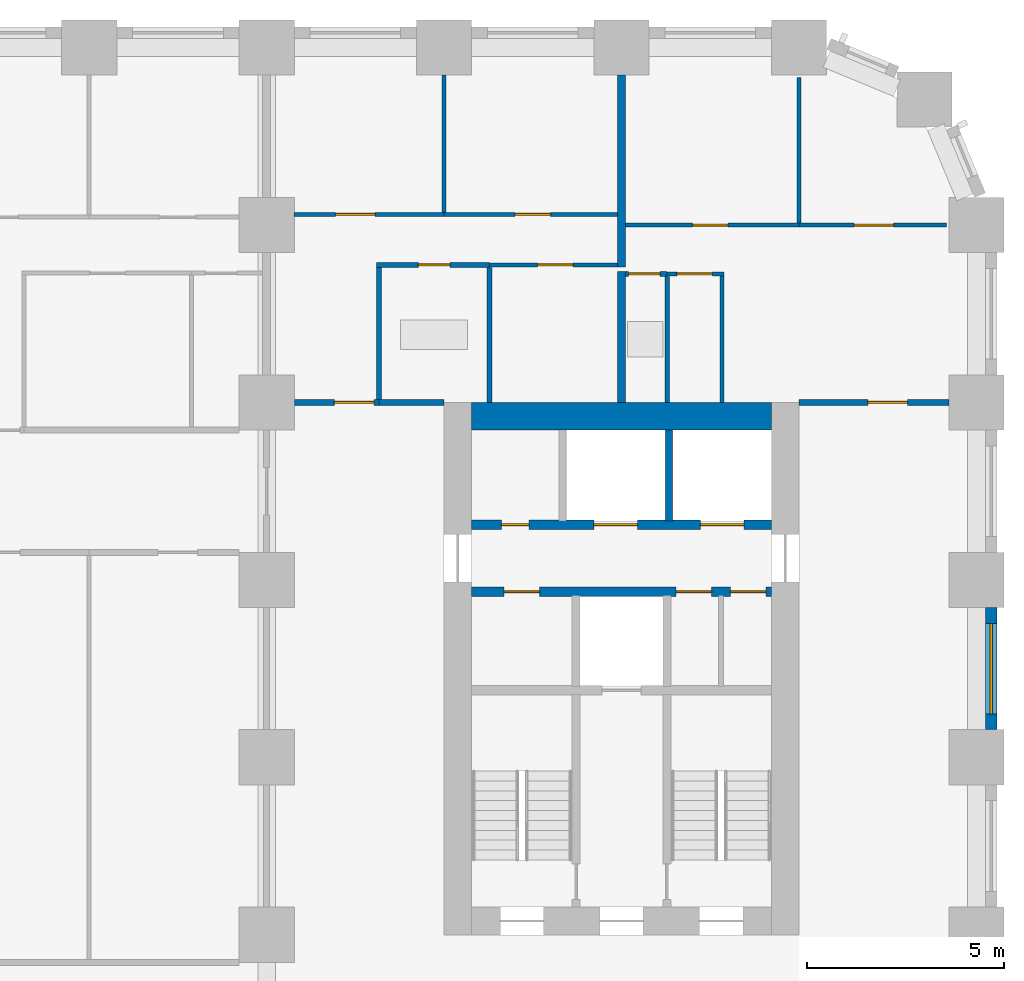
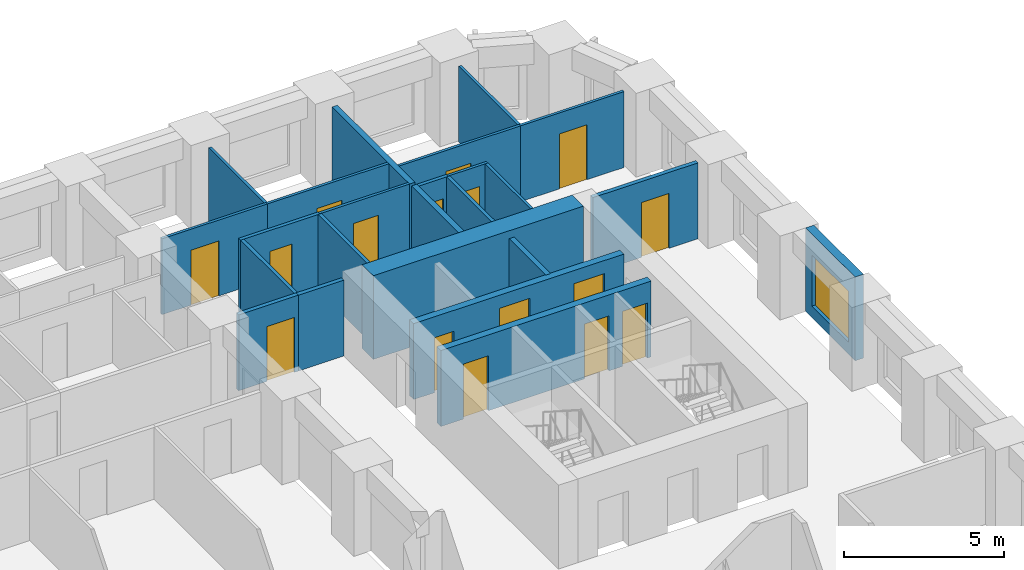
# One storey, part 9 of 13: 24 walls, 16 doors, 1 window, 17 openings.
"""IFC4 building model written with IfcOpenShell, lengths in metres."""

from ifc_helpers import new_model, si_unit, direction, frame, frame_2d, origin, place, context, subcontext, project, spatial, rectangle, extrude, material, layer, layer_set, type_object, element, fill, save


model = new_model("IFC4")

# Units and contexts
model_context = context("Model", 3, precision=1e-05, world=origin(), true_north=direction((0.0, 1.0)))
body_context = subcontext(model_context, "Body", "Model", "MODEL_VIEW")
ifc_project = project(units=[si_unit("LENGTHUNIT", "METRE"), si_unit("AREAUNIT", "SQUARE_METRE"), si_unit("VOLUMEUNIT", "CUBIC_METRE"), si_unit("PLANEANGLEUNIT", "RADIAN"), si_unit("MASSUNIT", "GRAM", prefix="KILO")], contexts=[model_context])

# Site, building, storey
site_placement = place(None, origin())
site = spatial("IfcSite", under=ifc_project, at=site_placement, CompositionType="ELEMENT")
building_placement = place(site_placement, origin())
building = spatial("IfcBuilding", under=site, at=building_placement, Name="Girih Gate Residences", CompositionType="ELEMENT")
storey_placement = place(building_placement, frame((0.0, 0.0, 56.0)))
storey = spatial("IfcBuildingStorey", under=building, at=storey_placement, Name="L14", CompositionType="ELEMENT", Elevation=56.0)

# Wall, opening, door
ifc_material_1 = material(Name="Gypsum board on steel studs", Category="steel")
ifc_layer_1 = layer(ifc_material_1, 0.14990234375)
ifc_layer_set_1 = layer_set([ifc_layer_1], Name="Compartment wall 150 mm")
wall_type_1 = type_object("IfcWallType", Name="Compartment wall 150 mm", PredefinedType="PARTITIONING", material=ifc_layer_set_1)
wall_1_placement = place(storey_placement, frame((45.0, 40.5, 0.0), z_axis=(0.0, 0.0, 1.0), x_axis=(1.0, 0.0, 0.0)))
wall_1 = element("IfcWall", 1, at=wall_1_placement, inside=storey, type_object=wall_type_1, Name="L14 partition", PredefinedType="PARTITIONING", context=body_context, shape_type="SweptSolid", body=[
    extrude(rectangle(XDim=3.800048828125, YDim=0.14990234375, at=frame_2d((1.89990234375, 0.0))), origin(), (0.0, 0.0, 1.0), 2.89990234375),
])
opening_1_placement = place(wall_1_placement, frame((1.75, 0.0, 0.0)))
opening_1 = element("IfcOpeningElement", 2, at=opening_1_placement, cuts=wall_1, Name="Opening A14-033", PredefinedType="OPENING", context=body_context, shape_type="SweptSolid", body=[
    extrude(rectangle(XDim=1.0, YDim=2.10009765625, at=frame_2d((0.5, 1.050048828125))), frame((0.0, 0.0849609375, 0.0), z_axis=(0.0, -1.0, 0.0), x_axis=(1.0, 0.0, 0.0)), (0.0, 0.0, 1.0), 0.169921875),
])
ifc_material_2 = material(Name="Timber, fire-rated core", Category="wood")
door_type_1 = type_object("IfcDoorType", Name="Flat entrance door 1000x2100 FD30S", OperationType="NOTDEFINED", PredefinedType="DOOR", material=ifc_material_2)
door_1_placement = place(opening_1_placement, origin())
door_1 = element("IfcDoor", 3, at=door_1_placement, inside=storey, type_object=door_type_1, Name="Door A14-033", OperationType="SINGLE_SWING_RIGHT", OverallHeight=2.10009765625, OverallWidth=1.0, PredefinedType="DOOR", context=body_context, shape_type="SweptSolid", body=[
    extrude(rectangle(XDim=1.0, YDim=2.10009765625, at=frame_2d((0.5, 1.050048828125))), frame((0.0, 0.02490234375, 0.0), z_axis=(0.0, -1.0, 0.0), x_axis=(1.0, 0.0, 0.0)), (0.0, 0.0, 1.0), 0.050048828125),
])
fill(opening_1, door_1)

# Wall
wall_2_placement = place(storey_placement, frame((34.35009765625, 40.5, 0.0), z_axis=(0.0, 0.0, 1.0), x_axis=(1.0, 0.0, 0.0)))
element("IfcWall", 4, at=wall_2_placement, inside=storey, type_object=wall_type_1, Name="L14 partition", PredefinedType="PARTITIONING", context=body_context, shape_type="SweptSolid", body=[
    extrude(rectangle(XDim=1.64990234375, YDim=0.14990234375, at=frame_2d((0.824951171875, 0.0))), origin(), (0.0, 0.0, 1.0), 2.89990234375),
])

# Wall, opening, door
wall_3_placement = place(storey_placement, frame((32.199951171875, 40.5, 0.0), z_axis=(0.0, 0.0, 1.0), x_axis=(1.0, 0.0, 0.0)))
wall_3 = element("IfcWall", 5, at=wall_3_placement, inside=storey, type_object=wall_type_1, Name="L14 partition", PredefinedType="PARTITIONING", context=body_context, shape_type="SweptSolid", body=[
    extrude(rectangle(XDim=2.150146484375, YDim=0.14990234375, at=frame_2d((1.0751953125, 0.0))), origin(), (0.0, 0.0, 1.0), 2.89990234375),
])
opening_2_placement = place(wall_3_placement, frame((1.02001953125, 0.0, 0.0)))
opening_2 = element("IfcOpeningElement", 6, at=opening_2_placement, cuts=wall_3, Name="Opening A14-038", PredefinedType="OPENING", context=body_context, shape_type="SweptSolid", body=[
    extrude(rectangle(XDim=1.0, YDim=2.10009765625, at=frame_2d((0.5, 1.050048828125))), frame((0.0, 0.0849609375, 0.0), z_axis=(0.0, -1.0, 0.0), x_axis=(1.0, 0.0, 0.0)), (0.0, 0.0, 1.0), 0.169921875),
])
door_2_placement = place(opening_2_placement, origin())
door_2 = element("IfcDoor", 7, at=door_2_placement, inside=storey, type_object=door_type_1, Name="Door A14-038", OperationType="SINGLE_SWING_RIGHT", OverallHeight=2.10009765625, OverallWidth=1.0, PredefinedType="DOOR", context=body_context, shape_type="SweptSolid", body=[
    extrude(rectangle(XDim=1.0, YDim=2.10009765625, at=frame_2d((0.5, 1.050048828125))), frame((0.0, 0.02490234375, 0.0), z_axis=(0.0, -1.0, 0.0), x_axis=(1.0, 0.0, 0.0)), (0.0, 0.0, 1.0), 0.050048828125),
])
fill(opening_2, door_2)

# Wall
ifc_material_3 = material(Name="Concrete C60/75", Category="concrete")
ifc_layer_2 = layer(ifc_material_3, 0.699951171875)
ifc_layer_set_2 = layer_set([ifc_layer_2], Name="Core wall RC 700 Concrete C60/75")
wall_type_2 = type_object("IfcWallType", Name="Core wall RC 700 Concrete C60/75", PredefinedType="SOLIDWALL", material=ifc_layer_set_2)
wall_4_placement = place(storey_placement, frame((36.699951171875, 40.14990234375, 0.0), z_axis=(0.0, 0.0, 1.0), x_axis=(1.0, 0.0, 0.0)))
element("IfcWall", 8, at=wall_4_placement, inside=storey, type_object=wall_type_2, Name="Core wall E-N L14", PredefinedType="SOLIDWALL", context=body_context, shape_type="SweptSolid", body=[
    extrude(rectangle(XDim=7.60009765625, YDim=0.699951171875, at=frame_2d((3.800048828125, 0.0))), origin(), (0.0, 0.0, 1.0), 3.199951171875),
])

# Wall, openings, doors
ifc_material_4 = material(Name="Concrete C40/50", Category="concrete")
ifc_layer_3 = layer(ifc_material_4, 0.25)
ifc_layer_set_3 = layer_set([ifc_layer_3], Name="Lift shaft wall 250")
wall_type_3 = type_object("IfcWallType", Name="Lift shaft wall 250", PredefinedType="SOLIDWALL", material=ifc_layer_set_3)
wall_5_placement = place(storey_placement, frame((36.699951171875, 35.699951171875, 0.0), z_axis=(0.0, 0.0, 1.0), x_axis=(1.0, 0.0, 0.0)))
wall_5 = element("IfcWall", 9, at=wall_5_placement, inside=storey, type_object=wall_type_3, Name="L14 E core wall H2", PredefinedType="SOLIDWALL", context=body_context, shape_type="SweptSolid", body=[
    extrude(rectangle(XDim=7.60009765625, YDim=0.25, at=frame_2d((3.800048828125, 0.0))), origin(), (0.0, 0.0, 1.0), 2.89990234375),
])
opening_3_placement = place(wall_5_placement, frame((6.5625, 0.0, 0.0)))
opening_3 = element("IfcOpeningElement", 10, at=opening_3_placement, cuts=wall_5, Name="Opening D-L14-E-007", PredefinedType="OPENING", context=body_context, shape_type="SweptSolid", body=[
    extrude(rectangle(XDim=0.89990234375, YDim=2.10009765625, at=frame_2d((0.449951171875, 1.050048828125))), frame((0.0, 0.135009765625, 0.0), z_axis=(0.0, -1.0, 0.0), x_axis=(1.0, 0.0, 0.0)), (0.0, 0.0, 1.0), 0.27001953125),
])
opening_4_placement = place(wall_5_placement, frame((5.1875, 0.0, 0.0)))
opening_4 = element("IfcOpeningElement", 11, at=opening_4_placement, cuts=wall_5, Name="Opening D-L14-E-008", PredefinedType="OPENING", context=body_context, shape_type="SweptSolid", body=[
    extrude(rectangle(XDim=0.89990234375, YDim=2.10009765625, at=frame_2d((0.449951171875, 1.050048828125))), frame((0.0, 0.135009765625, 0.0), z_axis=(0.0, -1.0, 0.0), x_axis=(1.0, 0.0, 0.0)), (0.0, 0.0, 1.0), 0.27001953125),
])
opening_5_placement = place(wall_5_placement, frame((0.824951171875, 0.0, 0.0)))
opening_5 = element("IfcOpeningElement", 12, at=opening_5_placement, cuts=wall_5, Name="Opening D-L14-E-009", PredefinedType="OPENING", context=body_context, shape_type="SweptSolid", body=[
    extrude(rectangle(XDim=0.89990234375, YDim=2.10009765625, at=frame_2d((0.449951171875, 1.050048828125))), frame((0.0, 0.135009765625, 0.0), z_axis=(0.0, -1.0, 0.0), x_axis=(1.0, 0.0, 0.0)), (0.0, 0.0, 1.0), 0.27001953125),
])
ifc_material_5 = material(Name="Painted steel, fire-resisting", Category="steel")
door_type_2 = type_object("IfcDoorType", Name="Fire door 900x2100", OperationType="SINGLE_SWING_LEFT", PredefinedType="DOOR", material=ifc_material_5)
door_3_placement = place(opening_3_placement, origin())
door_3 = element("IfcDoor", 13, at=door_3_placement, inside=storey, type_object=door_type_2, Name="L14 E store door", OperationType="SINGLE_SWING_LEFT", OverallHeight=2.10009765625, OverallWidth=0.89990234375, PredefinedType="DOOR", context=body_context, shape_type="SweptSolid", body=[
    extrude(rectangle(XDim=0.89990234375, YDim=2.10009765625, at=frame_2d((0.449951171875, 1.050048828125))), frame((0.0, 0.02490234375, 0.0), z_axis=(0.0, -1.0, 0.0), x_axis=(1.0, 0.0, 0.0)), (0.0, 0.0, 1.0), 0.050048828125),
])
fill(opening_3, door_3)
door_4_placement = place(opening_4_placement, origin())
door_4 = element("IfcDoor", 14, at=door_4_placement, inside=storey, type_object=door_type_2, Name="L14 E comms room door", OperationType="SINGLE_SWING_LEFT", OverallHeight=2.10009765625, OverallWidth=0.89990234375, PredefinedType="DOOR", context=body_context, shape_type="SweptSolid", body=[
    extrude(rectangle(XDim=0.89990234375, YDim=2.10009765625, at=frame_2d((0.449951171875, 1.050048828125))), frame((0.0, 0.02490234375, 0.0), z_axis=(0.0, -1.0, 0.0), x_axis=(1.0, 0.0, 0.0)), (0.0, 0.0, 1.0), 0.050048828125),
])
fill(opening_4, door_4)
door_5_placement = place(opening_5_placement, origin())
door_5 = element("IfcDoor", 15, at=door_5_placement, inside=storey, type_object=door_type_2, Name="L14 E refuse store door", OperationType="SINGLE_SWING_LEFT", OverallHeight=2.10009765625, OverallWidth=0.89990234375, PredefinedType="DOOR", context=body_context, shape_type="SweptSolid", body=[
    extrude(rectangle(XDim=0.89990234375, YDim=2.10009765625, at=frame_2d((0.449951171875, 1.050048828125))), frame((0.0, 0.02490234375, 0.0), z_axis=(0.0, -1.0, 0.0), x_axis=(1.0, 0.0, 0.0)), (0.0, 0.0, 1.0), 0.050048828125),
])
fill(opening_5, door_5)

wall_6_placement = place(storey_placement, frame((36.699951171875, 37.39990234375, 0.0), z_axis=(0.0, 0.0, 1.0), x_axis=(1.0, 0.0, 0.0)))
wall_6 = element("IfcWall", 16, at=wall_6_placement, inside=storey, type_object=wall_type_3, Name="L14 E core wall H3", PredefinedType="SOLIDWALL", context=body_context, shape_type="SweptSolid", body=[
    extrude(rectangle(XDim=7.60009765625, YDim=0.25, at=frame_2d((3.800048828125, 0.0))), origin(), (0.0, 0.0, 1.0), 2.89990234375),
])
opening_6_placement = place(wall_6_placement, frame((5.800048828125, 0.0, 0.0)))
opening_6 = element("IfcOpeningElement", 17, at=opening_6_placement, cuts=wall_6, Name="Opening D-L14-E-003", PredefinedType="OPENING", context=body_context, shape_type="SweptSolid", body=[
    extrude(rectangle(XDim=1.10009765625, YDim=2.39990234375, at=frame_2d((0.550048828125, 1.199951171875))), frame((0.0, 0.135009765625, 0.0), z_axis=(0.0, -1.0, 0.0), x_axis=(1.0, 0.0, 0.0)), (0.0, 0.0, 1.0), 0.27001953125),
])
opening_7_placement = place(wall_6_placement, frame((3.10009765625, 0.0, 0.0)))
opening_7 = element("IfcOpeningElement", 18, at=opening_7_placement, cuts=wall_6, Name="Opening D-L14-E-004", PredefinedType="OPENING", context=body_context, shape_type="SweptSolid", body=[
    extrude(rectangle(XDim=1.10009765625, YDim=2.39990234375, at=frame_2d((0.550048828125, 1.199951171875))), frame((0.0, 0.135009765625, 0.0), z_axis=(0.0, -1.0, 0.0), x_axis=(1.0, 0.0, 0.0)), (0.0, 0.0, 1.0), 0.27001953125),
])
opening_8_placement = place(wall_6_placement, frame((0.75, 0.0, 0.0)))
opening_8 = element("IfcOpeningElement", 19, at=opening_8_placement, cuts=wall_6, Name="Opening D-L14-E-006", PredefinedType="OPENING", context=body_context, shape_type="SweptSolid", body=[
    extrude(rectangle(XDim=0.699951171875, YDim=2.10009765625, at=frame_2d((0.35009765625, 1.050048828125))), frame((0.0, 0.135009765625, 0.0), z_axis=(0.0, -1.0, 0.0), x_axis=(1.0, 0.0, 0.0)), (0.0, 0.0, 1.0), 0.27001953125),
])
ifc_material_6 = material(Name="Stainless steel", Category="steel")
door_type_3 = type_object("IfcDoorType", Name="Lift landing door 1100x2400", OperationType="SLIDING_TO_LEFT", PredefinedType="DOOR", material=ifc_material_6)
door_6_placement = place(opening_6_placement, origin())
door_6 = element("IfcDoor", 20, at=door_6_placement, inside=storey, type_object=door_type_3, Name="L14 lift LR-E1 landing door", OperationType="SLIDING_TO_LEFT", OverallHeight=2.39990234375, OverallWidth=1.10009765625, PredefinedType="DOOR", context=body_context, shape_type="SweptSolid", body=[
    extrude(rectangle(XDim=1.10009765625, YDim=2.39990234375, at=frame_2d((0.550048828125, 1.199951171875))), frame((0.0, 0.02490234375, 0.0), z_axis=(0.0, -1.0, 0.0), x_axis=(1.0, 0.0, 0.0)), (0.0, 0.0, 1.0), 0.050048828125),
])
fill(opening_6, door_6)
door_7_placement = place(opening_7_placement, origin())
door_7 = element("IfcDoor", 21, at=door_7_placement, inside=storey, type_object=door_type_3, Name="L14 lift LR-E2 landing door", OperationType="SLIDING_TO_LEFT", OverallHeight=2.39990234375, OverallWidth=1.10009765625, PredefinedType="DOOR", context=body_context, shape_type="SweptSolid", body=[
    extrude(rectangle(XDim=1.10009765625, YDim=2.39990234375, at=frame_2d((0.550048828125, 1.199951171875))), frame((0.0, 0.02490234375, 0.0), z_axis=(0.0, -1.0, 0.0), x_axis=(1.0, 0.0, 0.0)), (0.0, 0.0, 1.0), 0.050048828125),
])
fill(opening_7, door_7)
door_type_4 = type_object("IfcDoorType", Name="Riser access door 700x2100", OperationType="SINGLE_SWING_LEFT", PredefinedType="DOOR", material=ifc_material_5)
door_8_placement = place(opening_8_placement, origin())
door_8 = element("IfcDoor", 22, at=door_8_placement, inside=storey, type_object=door_type_4, Name="L14 E riser room door", OperationType="SINGLE_SWING_LEFT", OverallHeight=2.10009765625, OverallWidth=0.699951171875, PredefinedType="DOOR", context=body_context, shape_type="SweptSolid", body=[
    extrude(rectangle(XDim=0.699951171875, YDim=2.10009765625, at=frame_2d((0.35009765625, 1.050048828125))), frame((0.0, 0.02490234375, 0.0), z_axis=(0.0, -1.0, 0.0), x_axis=(1.0, 0.0, 0.0)), (0.0, 0.0, 1.0), 0.050048828125),
])
fill(opening_8, door_8)

# Wall, opening, door
ifc_layer_4 = layer(ifc_material_1, 0.10009765625)
ifc_layer_set_4 = layer_set([ifc_layer_4], Name="Partition 100 mm")
wall_type_4 = type_object("IfcWallType", Name="Partition 100 mm", PredefinedType="PARTITIONING", material=ifc_layer_set_4)
wall_7_placement = place(storey_placement, frame((40.60009765625, 45.0, 0.0), z_axis=(0.0, 0.0, 1.0), x_axis=(1.0, 0.0, 0.0)))
wall_7 = element("IfcWall", 23, at=wall_7_placement, inside=storey, type_object=wall_type_4, Name="L14 partition", PredefinedType="PARTITIONING", context=body_context, shape_type="SweptSolid", body=[
    extrude(rectangle(XDim=4.39990234375, YDim=0.10009765625, at=frame_2d((2.199951171875, 0.0))), origin(), (0.0, 0.0, 1.0), 2.89990234375),
])
opening_9_placement = place(wall_7_placement, frame((1.699951171875, 0.0, 0.0)))
opening_9 = element("IfcOpeningElement", 24, at=opening_9_placement, cuts=wall_7, Name="Opening A14-030", PredefinedType="OPENING", context=body_context, shape_type="SweptSolid", body=[
    extrude(rectangle(XDim=0.89990234375, YDim=2.10009765625, at=frame_2d((0.449951171875, 1.050048828125))), frame((0.0, 0.06005859375, 0.0), z_axis=(0.0, -1.0, 0.0), x_axis=(1.0, 0.0, 0.0)), (0.0, 0.0, 1.0), 0.1201171875),
])
ifc_material_7 = material(Name="Timber", Category="wood")
door_type_5 = type_object("IfcDoorType", Name="Bedroom door 900x2100", OperationType="NOTDEFINED", PredefinedType="DOOR", material=ifc_material_7)
door_9_placement = place(opening_9_placement, origin())
door_9 = element("IfcDoor", 25, at=door_9_placement, inside=storey, type_object=door_type_5, Name="Door A14-030", OperationType="SINGLE_SWING_LEFT", OverallHeight=2.10009765625, OverallWidth=0.89990234375, PredefinedType="DOOR", context=body_context, shape_type="SweptSolid", body=[
    extrude(rectangle(XDim=0.89990234375, YDim=2.10009765625, at=frame_2d((0.449951171875, 1.050048828125))), frame((0.0, 0.02490234375, 0.0), z_axis=(0.0, -1.0, 0.0), x_axis=(1.0, 0.0, 0.0)), (0.0, 0.0, 1.0), 0.050048828125),
])
fill(opening_9, door_9)

# Walls
wall_8_placement = place(storey_placement, frame((45.0, 45.050048828125, 0.0), z_axis=(0.0, 0.0, 1.0), x_axis=(0.0, 1.0, 0.0)))
element("IfcWall", 26, at=wall_8_placement, inside=storey, type_object=wall_type_4, Name="L14 partition", PredefinedType="PARTITIONING", context=body_context, shape_type="SweptSolid", body=[
    extrude(rectangle(XDim=3.6923828125, YDim=0.10009765625, at=frame_2d((1.84619140625, 0.0))), origin(), (0.0, 0.0, 1.0), 2.89990234375),
])
wall_9_placement = place(storey_placement, frame((43.050048828125, 40.5, 0.0), z_axis=(0.0, 0.0, 1.0), x_axis=(0.0, 1.0, 0.0)))
element("IfcWall", 27, at=wall_9_placement, inside=storey, type_object=wall_type_4, Name="L14 partition", PredefinedType="PARTITIONING", context=body_context, shape_type="SweptSolid", body=[
    extrude(rectangle(XDim=3.2099609375, YDim=0.10009765625, at=frame_2d((1.60498046875, 0.0))), origin(), (0.0, 0.0, 1.0), 2.89990234375),
])

# Wall, opening, door
wall_10_placement = place(storey_placement, frame((43.10009765625, 43.760009765625, 0.0), z_axis=(0.0, 0.0, 1.0), x_axis=(-1.0, 0.0, 0.0)))
wall_10 = element("IfcWall", 28, at=wall_10_placement, inside=storey, type_object=wall_type_4, Name="L14 partition", PredefinedType="PARTITIONING", context=body_context, shape_type="SweptSolid", body=[
    extrude(rectangle(XDim=1.44091796875, YDim=0.10009765625, at=frame_2d((0.720458984375, 0.0))), origin(), (0.0, 0.0, 1.0), 2.89990234375),
])
opening_10_placement = place(wall_10_placement, frame((0.29541015625, 0.0, 0.0)))
opening_10 = element("IfcOpeningElement", 29, at=opening_10_placement, cuts=wall_10, Name="Opening A14-031", PredefinedType="OPENING", context=body_context, shape_type="SweptSolid", body=[
    extrude(rectangle(XDim=0.89990234375, YDim=2.10009765625, at=frame_2d((0.449951171875, 1.050048828125))), frame((0.0, 0.06005859375, 0.0), z_axis=(0.0, -1.0, 0.0), x_axis=(1.0, 0.0, 0.0)), (0.0, 0.0, 1.0), 0.1201171875),
])
door_type_6 = type_object("IfcDoorType", Name="Kitchen door 900x2100", OperationType="NOTDEFINED", PredefinedType="DOOR", material=ifc_material_7)
door_10_placement = place(opening_10_placement, origin())
door_10 = element("IfcDoor", 30, at=door_10_placement, inside=storey, type_object=door_type_6, Name="Door A14-031", OperationType="SINGLE_SWING_RIGHT", OverallHeight=2.10009765625, OverallWidth=0.89990234375, PredefinedType="DOOR", context=body_context, shape_type="SweptSolid", body=[
    extrude(rectangle(XDim=0.89990234375, YDim=2.10009765625, at=frame_2d((0.449951171875, 1.050048828125))), frame((0.0, 0.02490234375, 0.0), z_axis=(0.0, -1.0, 0.0), x_axis=(1.0, 0.0, 0.0)), (0.0, 0.0, 1.0), 0.050048828125),
])
fill(opening_10, door_10)

wall_11_placement = place(storey_placement, frame((45.0, 45.0, 0.0), z_axis=(0.0, 0.0, 1.0), x_axis=(1.0, 0.0, 0.0)))
wall_11 = element("IfcWall", 31, at=wall_11_placement, inside=storey, type_object=wall_type_4, Name="L14 partition", PredefinedType="PARTITIONING", context=body_context, shape_type="SweptSolid", body=[
    extrude(rectangle(XDim=3.742431640625, YDim=0.10009765625, at=frame_2d((1.87109375, 0.0))), origin(), (0.0, 0.0, 1.0), 2.89990234375),
])
opening_11_placement = place(wall_11_placement, frame((1.39990234375, 0.0, 0.0)))
opening_11 = element("IfcOpeningElement", 32, at=opening_11_placement, cuts=wall_11, Name="Opening A14-032", PredefinedType="OPENING", context=body_context, shape_type="SweptSolid", body=[
    extrude(rectangle(XDim=1.0, YDim=2.10009765625, at=frame_2d((0.5, 1.050048828125))), frame((0.0, 0.06005859375, 0.0), z_axis=(0.0, -1.0, 0.0), x_axis=(1.0, 0.0, 0.0)), (0.0, 0.0, 1.0), 0.1201171875),
])
door_type_7 = type_object("IfcDoorType", Name="Living room door 1000x2100", OperationType="NOTDEFINED", PredefinedType="DOOR", material=ifc_material_7)
door_11_placement = place(opening_11_placement, origin())
door_11 = element("IfcDoor", 33, at=door_11_placement, inside=storey, type_object=door_type_7, Name="Door A14-032", OperationType="SINGLE_SWING_RIGHT", OverallHeight=2.10009765625, OverallWidth=1.0, PredefinedType="DOOR", context=body_context, shape_type="SweptSolid", body=[
    extrude(rectangle(XDim=1.0, YDim=2.10009765625, at=frame_2d((0.5, 1.050048828125))), frame((0.0, 0.02490234375, 0.0), z_axis=(0.0, -1.0, 0.0), x_axis=(1.0, 0.0, 0.0)), (0.0, 0.0, 1.0), 0.050048828125),
])
fill(opening_11, door_11)

wall_12_placement = place(storey_placement, frame((36.0, 45.27001953125, 0.0), z_axis=(0.0, 0.0, 1.0), x_axis=(1.0, 0.0, 0.0)))
wall_12 = element("IfcWall", 34, at=wall_12_placement, inside=storey, type_object=wall_type_4, Name="L14 partition", PredefinedType="PARTITIONING", context=body_context, shape_type="SweptSolid", body=[
    extrude(rectangle(XDim=4.39990234375, YDim=0.10009765625, at=frame_2d((2.199951171875, 0.0))), origin(), (0.0, 0.0, 1.0), 2.89990234375),
])
opening_12_placement = place(wall_12_placement, frame((1.800048828125, 0.0, 0.0)))
opening_12 = element("IfcOpeningElement", 35, at=opening_12_placement, cuts=wall_12, Name="Opening A14-035", PredefinedType="OPENING", context=body_context, shape_type="SweptSolid", body=[
    extrude(rectangle(XDim=0.89990234375, YDim=2.10009765625, at=frame_2d((0.449951171875, 1.050048828125))), frame((0.0, 0.06005859375, 0.0), z_axis=(0.0, -1.0, 0.0), x_axis=(1.0, 0.0, 0.0)), (0.0, 0.0, 1.0), 0.1201171875),
])
door_12_placement = place(opening_12_placement, origin())
door_12 = element("IfcDoor", 36, at=door_12_placement, inside=storey, type_object=door_type_5, Name="Door A14-035", OperationType="SINGLE_SWING_RIGHT", OverallHeight=2.10009765625, OverallWidth=0.89990234375, PredefinedType="DOOR", context=body_context, shape_type="SweptSolid", body=[
    extrude(rectangle(XDim=0.89990234375, YDim=2.10009765625, at=frame_2d((0.449951171875, 1.050048828125))), frame((0.0, 0.02490234375, 0.0), z_axis=(0.0, -1.0, 0.0), x_axis=(1.0, 0.0, 0.0)), (0.0, 0.0, 1.0), 0.050048828125),
])
fill(opening_12, door_12)

# Wall
wall_13_placement = place(storey_placement, frame((36.0, 45.320068359375, 0.0), z_axis=(0.0, 0.0, 1.0), x_axis=(0.0, 1.0, 0.0)))
element("IfcWall", 37, at=wall_13_placement, inside=storey, type_object=wall_type_4, Name="L14 partition", PredefinedType="PARTITIONING", context=body_context, shape_type="SweptSolid", body=[
    extrude(rectangle(XDim=3.47998046875, YDim=0.10009765625, at=frame_2d((1.739990234375, 0.0))), origin(), (0.0, 0.0, 1.0), 2.89990234375),
])

# Wall, opening, door
wall_14_placement = place(storey_placement, frame((40.39990234375, 43.989990234375, 0.0), z_axis=(0.0, 0.0, 1.0), x_axis=(-1.0, 0.0, 0.0)))
wall_14 = element("IfcWall", 38, at=wall_14_placement, inside=storey, type_object=wall_type_4, Name="L14 partition", PredefinedType="PARTITIONING", context=body_context, shape_type="SweptSolid", body=[
    extrude(rectangle(XDim=3.250244140625, YDim=0.10009765625, at=frame_2d((1.625, 0.0))), origin(), (0.0, 0.0, 1.0), 2.89990234375),
])
opening_13_placement = place(wall_14_placement, frame((1.125, 0.0, 0.0)))
opening_13 = element("IfcOpeningElement", 39, at=opening_13_placement, cuts=wall_14, Name="Opening A14-036", PredefinedType="OPENING", context=body_context, shape_type="SweptSolid", body=[
    extrude(rectangle(XDim=0.89990234375, YDim=2.10009765625, at=frame_2d((0.449951171875, 1.050048828125))), frame((0.0, 0.06005859375, 0.0), z_axis=(0.0, -1.0, 0.0), x_axis=(1.0, 0.0, 0.0)), (0.0, 0.0, 1.0), 0.1201171875),
])
door_13_placement = place(opening_13_placement, origin())
door_13 = element("IfcDoor", 40, at=door_13_placement, inside=storey, type_object=door_type_6, Name="Door A14-036", OperationType="SINGLE_SWING_LEFT", OverallHeight=2.10009765625, OverallWidth=0.89990234375, PredefinedType="DOOR", context=body_context, shape_type="SweptSolid", body=[
    extrude(rectangle(XDim=0.89990234375, YDim=2.10009765625, at=frame_2d((0.449951171875, 1.050048828125))), frame((0.0, 0.02490234375, 0.0), z_axis=(0.0, -1.0, 0.0), x_axis=(1.0, 0.0, 0.0)), (0.0, 0.0, 1.0), 0.050048828125),
])
fill(opening_13, door_13)

wall_15_placement = place(storey_placement, frame((32.199951171875, 45.27001953125, 0.0), z_axis=(0.0, 0.0, 1.0), x_axis=(1.0, 0.0, 0.0)))
wall_15 = element("IfcWall", 41, at=wall_15_placement, inside=storey, type_object=wall_type_4, Name="L14 partition", PredefinedType="PARTITIONING", context=body_context, shape_type="SweptSolid", body=[
    extrude(rectangle(XDim=3.800048828125, YDim=0.10009765625, at=frame_2d((1.89990234375, 0.0))), origin(), (0.0, 0.0, 1.0), 2.89990234375),
])
opening_14_placement = place(wall_15_placement, frame((1.050048828125, 0.0, 0.0)))
opening_14 = element("IfcOpeningElement", 42, at=opening_14_placement, cuts=wall_15, Name="Opening A14-037", PredefinedType="OPENING", context=body_context, shape_type="SweptSolid", body=[
    extrude(rectangle(XDim=1.0, YDim=2.10009765625, at=frame_2d((0.5, 1.050048828125))), frame((0.0, 0.06005859375, 0.0), z_axis=(0.0, -1.0, 0.0), x_axis=(1.0, 0.0, 0.0)), (0.0, 0.0, 1.0), 0.1201171875),
])
door_14_placement = place(opening_14_placement, origin())
door_14 = element("IfcDoor", 43, at=door_14_placement, inside=storey, type_object=door_type_7, Name="Door A14-037", OperationType="SINGLE_SWING_LEFT", OverallHeight=2.10009765625, OverallWidth=1.0, PredefinedType="DOOR", context=body_context, shape_type="SweptSolid", body=[
    extrude(rectangle(XDim=1.0, YDim=2.10009765625, at=frame_2d((0.5, 1.050048828125))), frame((0.0, 0.02490234375, 0.0), z_axis=(0.0, -1.0, 0.0), x_axis=(1.0, 0.0, 0.0)), (0.0, 0.0, 1.0), 0.050048828125),
])
fill(opening_14, door_14)

# Walls
ifc_layer_5 = layer(ifc_material_1, 0.199951171875)
ifc_layer_set_5 = layer_set([ifc_layer_5], Name="Party wall 200 mm")
wall_type_5 = type_object("IfcWallType", Name="Party wall 200 mm", PredefinedType="PARTITIONING", material=ifc_layer_set_5)
wall_16_placement = place(storey_placement, frame((40.5, 40.5, 0.0), z_axis=(0.0, 0.0, 1.0), x_axis=(0.0, 1.0, 0.0)))
element("IfcWall", 44, at=wall_16_placement, inside=storey, type_object=wall_type_5, Name="L14 partition", PredefinedType="PARTITIONING", context=body_context, shape_type="SweptSolid", body=[
    extrude(rectangle(XDim=3.322509765625, YDim=0.199951171875, at=frame_2d((1.6611328125, 0.0))), origin(), (0.0, 0.0, 1.0), 2.89990234375),
])
wall_17_placement = place(storey_placement, frame((40.5, 43.93994140625, 0.0), z_axis=(0.0, 0.0, 1.0), x_axis=(0.0, 1.0, 0.0)))
element("IfcWall", 45, at=wall_17_placement, inside=storey, type_object=wall_type_5, Name="L14 partition", PredefinedType="PARTITIONING", context=body_context, shape_type="SweptSolid", body=[
    extrude(rectangle(XDim=4.860107421875, YDim=0.199951171875, at=frame_2d((2.43017578125, 0.0))), origin(), (0.0, 0.0, 1.0), 2.89990234375),
])

# Wall, opening, window
ifc_material_8 = material(Name="Precast concrete C50/60", Category="concrete")
ifc_layer_6 = layer(ifc_material_8, 0.080078125, Name="Outer leaf")
ifc_material_9 = material(Name="Rigid PIR insulation")
ifc_layer_7 = layer(ifc_material_9, 0.14990234375, Name="Insulation")
ifc_material_10 = material(Name="Precast concrete C40/50", Category="concrete")
ifc_layer_8 = layer(ifc_material_10, 0.070068359375, Name="Inner leaf")
ifc_layer_set_6 = layer_set([ifc_layer_6, ifc_layer_7, ifc_layer_8], Name="Precast concrete C50/60 external wall 300")
wall_type_6 = type_object("IfcWallType", Name="Precast concrete C50/60 external wall 300", PredefinedType="SOLIDWALL", material=ifc_layer_set_6)
wall_18_placement = place(storey_placement, frame((49.875, 35.300048828125, 0.0), z_axis=(0.0, 0.0, 1.0), x_axis=(0.0, -1.0, 0.0)))
wall_18 = element("IfcWall", 46, at=wall_18_placement, inside=storey, type_object=wall_type_6, Name="External wall E0495_0045.6", PredefinedType="SOLIDWALL", context=body_context, shape_type="SweptSolid", body=[
    extrude(rectangle(XDim=3.10009765625, YDim=0.300048828125, at=frame_2d((1.550048828125, 0.0))), origin(), (0.0, 0.0, 1.0), 3.199951171875),
])
opening_15_placement = place(wall_18_placement, frame((0.39990234375, 0.0, 0.449951171875)))
opening_15 = element("IfcOpeningElement", 47, at=opening_15_placement, cuts=wall_18, Name="Opening W-1", PredefinedType="OPENING", context=body_context, shape_type="SweptSolid", body=[
    extrude(rectangle(XDim=2.300048828125, YDim=1.949951171875, at=frame_2d((1.14990234375, 0.97509765625))), frame((0.0, 0.159912109375, 0.0), z_axis=(0.0, -1.0, 0.0), x_axis=(1.0, 0.0, 0.0)), (0.0, 0.0, 1.0), 0.320068359375),
])
ifc_material_11 = material(Name="Double glazing in aluminium frame", Category="aluminium")
window_type = type_object("IfcWindowType", Name="Window W-1 2300x1950", PartitioningType="SINGLE_PANEL", PredefinedType="WINDOW", material=ifc_material_11)
window_placement = place(opening_15_placement, origin())
window = element("IfcWindow", 48, at=window_placement, inside=storey, type_object=window_type, Name="Window W-1 E0495_0045.6", OverallHeight=1.949951171875, OverallWidth=2.300048828125, PartitioningType="SINGLE_PANEL", PredefinedType="WINDOW", context=body_context, shape_type="SweptSolid", body=[
    extrude(rectangle(XDim=2.300048828125, YDim=1.949951171875, at=frame_2d((1.14990234375, 0.97509765625))), frame((0.0, 0.030029296875, 0.0), z_axis=(0.0, -1.0, 0.0), x_axis=(1.0, 0.0, 0.0)), (0.0, 0.0, 1.0), 0.06005859375),
])
fill(opening_15, window)

# Wall
ifc_layer_9 = layer(ifc_material_4, 0.175048828125)
ifc_layer_set_7 = layer_set([ifc_layer_9], Name="Riser shaft wall 175")
wall_type_7 = type_object("IfcWallType", Name="Riser shaft wall 175", PredefinedType="SOLIDWALL", material=ifc_layer_set_7)
wall_19_placement = place(storey_placement, frame((41.699951171875, 37.5, 0.0), z_axis=(0.0, 0.0, 1.0), x_axis=(0.0, 1.0, 0.0)))
element("IfcWall", 49, at=wall_19_placement, inside=storey, type_object=wall_type_7, Name="L14 E core wall V1c", PredefinedType="SOLIDWALL", context=body_context, shape_type="SweptSolid", body=[
    extrude(rectangle(XDim=2.300048828125, YDim=0.175048828125, at=frame_2d((1.14990234375, 0.0))), origin(), (0.0, 0.0, 1.0), 2.89990234375),
])

# Wall, opening, door
ifc_layer_10 = layer(ifc_material_1, 0.125)
ifc_layer_set_8 = layer_set([ifc_layer_10], Name="Wet room wall 125 mm")
wall_type_8 = type_object("IfcWallType", Name="Wet room wall 125 mm", PredefinedType="PARTITIONING", material=ifc_layer_set_8)
wall_20_placement = place(storey_placement, frame((41.6591796875, 43.760009765625, 0.0), z_axis=(0.0, 0.0, 1.0), x_axis=(-1.0, 0.0, 0.0)))
wall_20 = element("IfcWall", 50, at=wall_20_placement, inside=storey, type_object=wall_type_8, Name="L14 partition", PredefinedType="PARTITIONING", context=body_context, shape_type="SweptSolid", body=[
    extrude(rectangle(XDim=1.05908203125, YDim=0.125, at=frame_2d((0.529541015625, 0.0))), origin(), (0.0, 0.0, 1.0), 2.89990234375),
])
opening_16_placement = place(wall_20_placement, frame((0.179443359375, 0.0, 0.0)))
opening_16 = element("IfcOpeningElement", 51, at=opening_16_placement, cuts=wall_20, Name="Opening A14-029", PredefinedType="OPENING", context=body_context, shape_type="SweptSolid", body=[
    extrude(rectangle(XDim=0.800048828125, YDim=2.10009765625, at=frame_2d((0.39990234375, 1.050048828125))), frame((0.0, 0.072509765625, 0.0), z_axis=(0.0, -1.0, 0.0), x_axis=(1.0, 0.0, 0.0)), (0.0, 0.0, 1.0), 0.14501953125),
])
door_type_8 = type_object("IfcDoorType", Name="Bathroom door 800x2100", OperationType="NOTDEFINED", PredefinedType="DOOR", material=ifc_material_7)
door_15_placement = place(opening_16_placement, origin())
door_15 = element("IfcDoor", 52, at=door_15_placement, inside=storey, type_object=door_type_8, Name="Door A14-029", OperationType="SINGLE_SWING_RIGHT", OverallHeight=2.10009765625, OverallWidth=0.800048828125, PredefinedType="DOOR", context=body_context, shape_type="SweptSolid", body=[
    extrude(rectangle(XDim=0.800048828125, YDim=2.10009765625, at=frame_2d((0.39990234375, 1.050048828125))), frame((0.0, 0.02490234375, 0.0), z_axis=(0.0, -1.0, 0.0), x_axis=(1.0, 0.0, 0.0)), (0.0, 0.0, 1.0), 0.050048828125),
])
fill(opening_16, door_15)

# Walls
wall_21_placement = place(storey_placement, frame((41.658935546875, 40.5, 0.0), z_axis=(0.0, 0.0, 1.0), x_axis=(0.0, 1.0, 0.0)))
element("IfcWall", 53, at=wall_21_placement, inside=storey, type_object=wall_type_8, Name="L14 partition", PredefinedType="PARTITIONING", context=body_context, shape_type="SweptSolid", body=[
    extrude(rectangle(XDim=3.197509765625, YDim=0.125, at=frame_2d((1.5986328125, 0.0))), origin(), (0.0, 0.0, 1.0), 2.89990234375),
])
wall_22_placement = place(storey_placement, frame((34.35009765625, 40.574951171875, 0.0), z_axis=(0.0, 0.0, 1.0), x_axis=(0.0, 1.0, 0.0)))
element("IfcWall", 54, at=wall_22_placement, inside=storey, type_object=wall_type_8, Name="L14 partition", PredefinedType="PARTITIONING", context=body_context, shape_type="SweptSolid", body=[
    extrude(rectangle(XDim=3.3525390625, YDim=0.125, at=frame_2d((1.67626953125, 0.0))), origin(), (0.0, 0.0, 1.0), 2.89990234375),
])

# Wall, opening, door
wall_23_placement = place(storey_placement, frame((37.149658203125, 43.989990234375, 0.0), z_axis=(0.0, 0.0, 1.0), x_axis=(-1.0, 0.0, 0.0)))
wall_23 = element("IfcWall", 55, at=wall_23_placement, inside=storey, type_object=wall_type_8, Name="L14 partition", PredefinedType="PARTITIONING", context=body_context, shape_type="SweptSolid", body=[
    extrude(rectangle(XDim=2.862060546875, YDim=0.125, at=frame_2d((1.43115234375, 0.0))), origin(), (0.0, 0.0, 1.0), 2.89990234375),
])
opening_17_placement = place(wall_23_placement, frame((1.0, 0.0, 0.0)))
opening_17 = element("IfcOpeningElement", 56, at=opening_17_placement, cuts=wall_23, Name="Opening A14-034", PredefinedType="OPENING", context=body_context, shape_type="SweptSolid", body=[
    extrude(rectangle(XDim=0.800048828125, YDim=2.10009765625, at=frame_2d((0.39990234375, 1.050048828125))), frame((0.0, 0.072509765625, 0.0), z_axis=(0.0, -1.0, 0.0), x_axis=(1.0, 0.0, 0.0)), (0.0, 0.0, 1.0), 0.14501953125),
])
door_16_placement = place(opening_17_placement, origin())
door_16 = element("IfcDoor", 57, at=door_16_placement, inside=storey, type_object=door_type_8, Name="Door A14-034", OperationType="SINGLE_SWING_LEFT", OverallHeight=2.10009765625, OverallWidth=0.800048828125, PredefinedType="DOOR", context=body_context, shape_type="SweptSolid", body=[
    extrude(rectangle(XDim=0.800048828125, YDim=2.10009765625, at=frame_2d((0.39990234375, 1.050048828125))), frame((0.0, 0.02490234375, 0.0), z_axis=(0.0, -1.0, 0.0), x_axis=(1.0, 0.0, 0.0)), (0.0, 0.0, 1.0), 0.050048828125),
])
fill(opening_17, door_16)

# Wall
wall_24_placement = place(storey_placement, frame((37.14990234375, 40.5, 0.0), z_axis=(0.0, 0.0, 1.0), x_axis=(0.0, 1.0, 0.0)))
element("IfcWall", 58, at=wall_24_placement, inside=storey, type_object=wall_type_8, Name="L14 partition", PredefinedType="PARTITIONING", context=body_context, shape_type="SweptSolid", body=[
    extrude(rectangle(XDim=3.427490234375, YDim=0.125, at=frame_2d((1.7138671875, 0.0))), origin(), (0.0, 0.0, 1.0), 2.89990234375),
])

save(model, "model.ifc")
